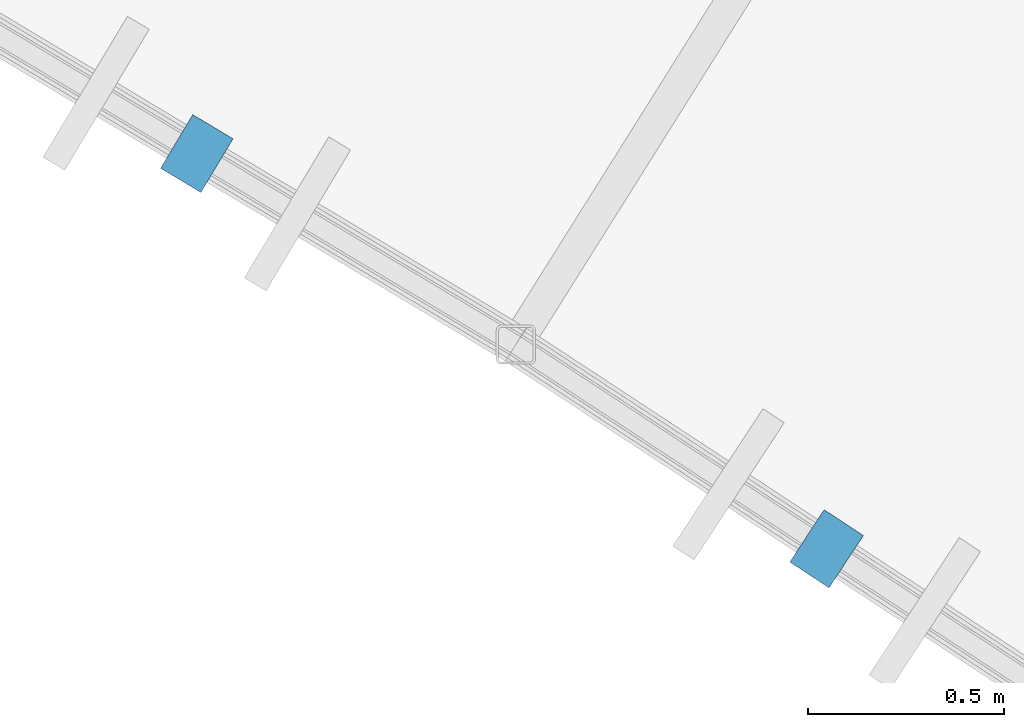
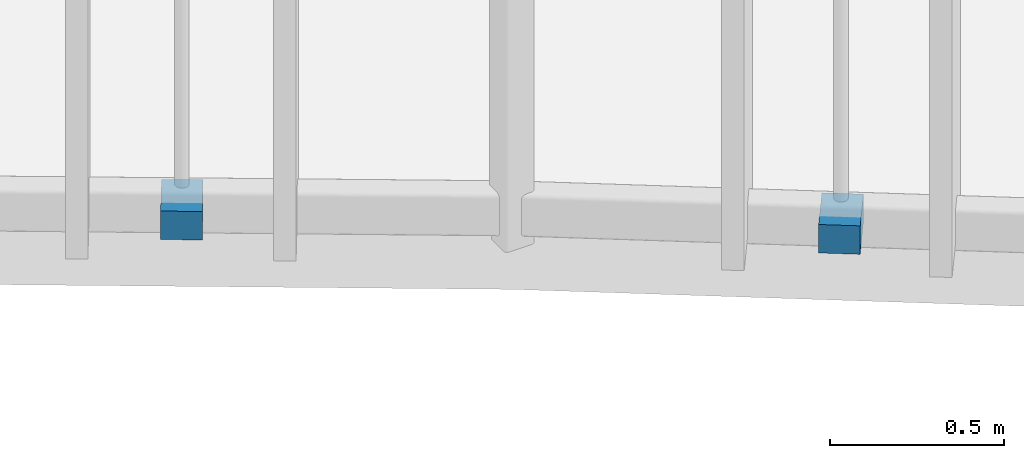
# One storey, part 88 of 101: 2 discrete accessories.
"""IFC4 building model written with IfcOpenShell, lengths in metres."""

from ifc_helpers import new_model, si_unit, direction, frame, origin, origin_2d, place, context, subcontext, project, spatial, rectangle, extrude, material, type_object, element, save


model = new_model("IFC4")

# Units and contexts
model_context = context("Model", 3, precision=1e-05, world=origin(), true_north=direction((0.0, 1.0)))
body_context = subcontext(model_context, "Body", "Model", "MODEL_VIEW")
ifc_project = project(units=[si_unit("LENGTHUNIT", "METRE"), si_unit("AREAUNIT", "SQUARE_METRE"), si_unit("VOLUMEUNIT", "CUBIC_METRE"), si_unit("PLANEANGLEUNIT", "RADIAN"), si_unit("MASSUNIT", "GRAM", prefix="KILO"), si_unit("POWERUNIT", "WATT"), si_unit("THERMODYNAMICTEMPERATUREUNIT", "KELVIN")], contexts=[model_context])

# Site, building, storey
site_placement = place(None, origin())
site = spatial("IfcSite", under=ifc_project, at=site_placement, CompositionType="ELEMENT")
building_placement = place(site_placement, origin())
building = spatial("IfcBuilding", under=site, at=building_placement, Name="Ruvembo Vaulted Housing Court", CompositionType="ELEMENT")
storey_placement = place(building_placement, frame((0.0, 0.0, 17.300048828125)))
storey = spatial("IfcBuildingStorey", under=building, at=storey_placement, Name="L05", CompositionType="ELEMENT", Elevation=17.300048828125)

# Discrete accessories
ifc_material = material(Name="Stainless Steel Grade 316", Category="steel")
discrete_accessory_type = type_object("IfcDiscreteAccessoryType", Name="ACC-BRACKET-SS", PredefinedType="BRACKET", material=ifc_material)
for number, where, z_axis, x_axis, name in (
    (1, (140.528076171875, 89.283203125, 0.02978515625), (0.0, 0.0, 1.0), (-0.513825768915, -0.857894561819, 0.0), "Stainless Louvre Rail Bracket #379"),
    (2, (142.137939453125, 88.27294921875, 0.02978515625), (0.0, 0.0, 1.0), (-0.548964466299, -0.835845688355, 0.0), "Stainless Louvre Rail Bracket #380"),
):
    element("IfcDiscreteAccessory", number, at=place(storey_placement, frame(where, z_axis=z_axis, x_axis=x_axis)), inside=storey, type_object=discrete_accessory_type, Name=name, PredefinedType="BRACKET", context=body_context, shape_type="SweptSolid", body=[
        extrude(rectangle(XDim=0.159912109375, YDim=0.1201171875, at=origin_2d()), origin(), (0.0, 0.0, 1.0), 0.10009765625),
    ])

save(model, "model.ifc")
